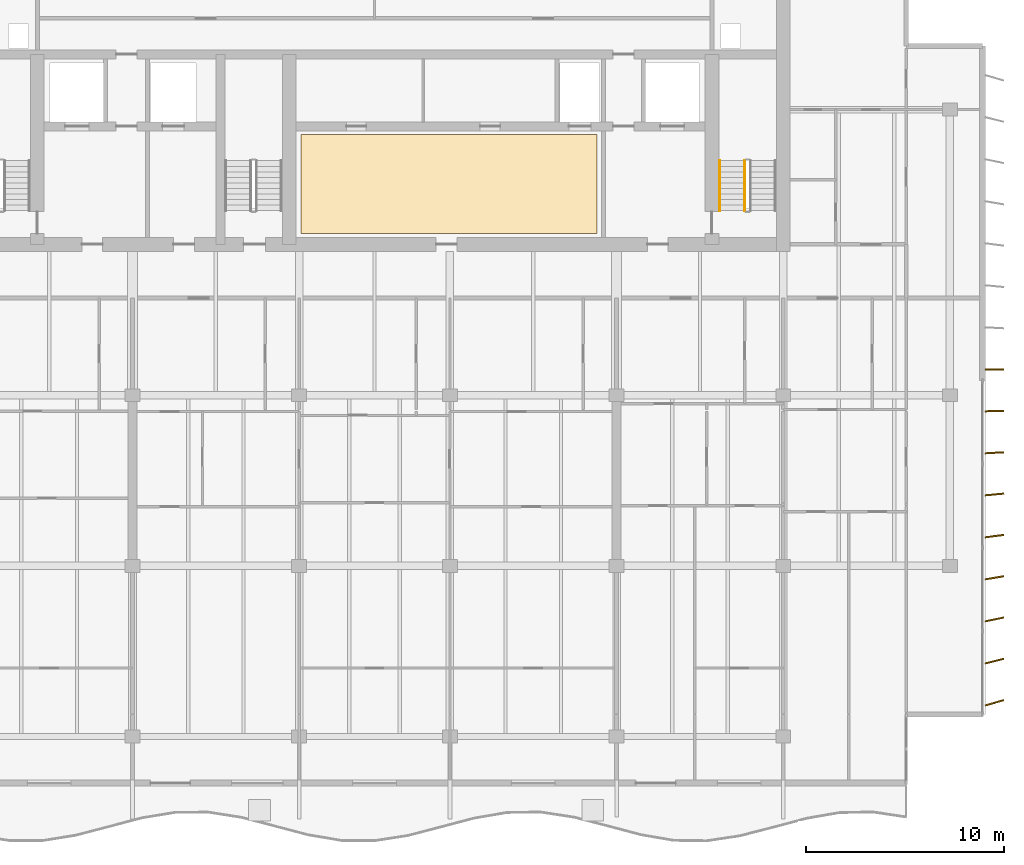
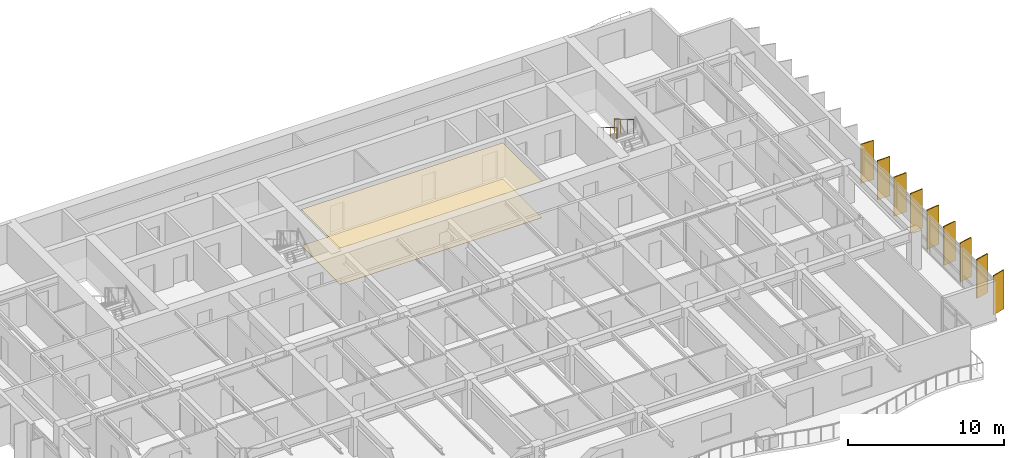
# One storey, part 16 of 19: 9 shading devices, 2 coverings, 2 railings.
"""IFC4 building model written with IfcOpenShell, lengths in metres."""

from ifc_helpers import new_model, si_unit, direction, frame, origin, origin_2d, place, context, subcontext, project, spatial, polyline, rectangle, circle, outline, extrude, material, layer, layer_set, material_profile, profile_set, type_object, element, save


model = new_model("IFC4")

# Units and contexts
model_context = context("Model", 3, precision=1e-05, world=origin(), true_north=direction((0.0, 1.0)))
body_context = subcontext(model_context, "Body", "Model", "MODEL_VIEW")
ifc_project = project(units=[si_unit("LENGTHUNIT", "METRE"), si_unit("AREAUNIT", "SQUARE_METRE"), si_unit("VOLUMEUNIT", "CUBIC_METRE"), si_unit("PLANEANGLEUNIT", "RADIAN"), si_unit("MASSUNIT", "GRAM", prefix="KILO")], contexts=[model_context])

# Site, building, storey
site_placement = place(None, origin())
site = spatial("IfcSite", under=ifc_project, at=site_placement, CompositionType="ELEMENT")
building_placement = place(site_placement, origin())
building = spatial("IfcBuilding", under=site, at=building_placement, Name="Caelmar Bay Residences", CompositionType="ELEMENT")
storey_placement = place(building_placement, frame((0.0, 0.0, 256.199951171875)))
storey = spatial("IfcBuildingStorey", under=building, at=storey_placement, Name="L72", CompositionType="ELEMENT", Elevation=256.199951171875)

# Coverings
ifc_material_1 = material(Name="Perforated acoustic gypsum-mineral ceiling tile 20 mm")
ifc_layer_1 = layer(ifc_material_1, 0.02001953125)
ifc_layer_set_1 = layer_set([ifc_layer_1], Name="Perforated acoustic gypsum-mineral ceiling tile 20 mm")
covering_type_1 = type_object("IfcCoveringType", Name="COV-CEIL-20", PredefinedType="CEILING", material=ifc_layer_set_1)
covering_1_placement = place(storey_placement, frame((0.0, 0.0, 2.830078125)))
element("IfcCovering", 1, at=covering_1_placement, inside=storey, type_object=covering_type_1, Name="L72 Lift Lobby Acoustic Ceiling", PredefinedType="CEILING", context=body_context, shape_type="SweptSolid", body=[
    extrude(outline(polyline([(35.199951171875, 37.550048828125), (50.10009765625, 37.550048828125), (50.10009765625, 42.550048828125), (35.199951171875, 42.550048828125), (35.199951171875, 37.550048828125)])), origin(), (0.0, 0.0, 1.0), 0.02001953125),
])
ifc_material_2 = material(Name="Honed terrazzo and engineered white-oak flooring 20 mm")
ifc_layer_2 = layer(ifc_material_2, 0.02001953125)
ifc_layer_set_2 = layer_set([ifc_layer_2], Name="Honed terrazzo and engineered white-oak flooring 20 mm")
covering_type_2 = type_object("IfcCoveringType", Name="COV-FLR-20", PredefinedType="FLOORING", material=ifc_layer_set_2)
covering_2_placement = place(storey_placement, origin())
element("IfcCovering", 2, at=covering_2_placement, inside=storey, type_object=covering_type_2, Name="L72 Lift Lobby Terrazzo Flooring", PredefinedType="FLOORING", context=body_context, shape_type="SweptSolid", body=[
    extrude(outline(polyline([(35.199951171875, 37.550048828125), (50.10009765625, 37.550048828125), (50.10009765625, 42.550048828125), (35.199951171875, 42.550048828125), (35.199951171875, 37.550048828125)])), origin(), (0.0, 0.0, 1.0), 0.02001953125),
])

# Railings
ifc_material_3 = material(Name="Painted galvanized steel stair guard 1100 mm", Category="steel")
railing_type_1 = type_object("IfcRailingType", Name="RL-GRD-1100", PredefinedType="GUARDRAIL", material=ifc_material_3)
railing_1_placement = place(storey_placement, frame((57.550048828125, 41.219970703125, 1.81494140625)))
element("IfcRailing", 3, at=railing_1_placement, inside=storey, type_object=railing_type_1, Name="L72 ST2 stair guard 3", PredefinedType="GUARDRAIL", context=body_context, shape_type="SweptSolid", body=[
    extrude(circle(Radius=0.02392578125, at=origin_2d()), frame((0.0, 0.0, 1.076171875), z_axis=(0.0, -0.86152411907, 0.507716645641), x_axis=(1.0, 0.0, 0.0)), (0.0, 0.0, 1.0), 2.925048828125),
    extrude(circle(Radius=0.02099609375, at=origin_2d()), origin(), (0.0, 0.0, 1.0), 1.052001953125),
    extrude(circle(Radius=0.02099609375, at=origin_2d()), frame((0.0, -0.840087890625, 0.4951171875)), (0.0, 0.0, 1.0), 1.052001953125),
    extrude(circle(Radius=0.02099609375, at=origin_2d()), frame((0.0, -1.679931640625, 0.989990234375)), (0.0, 0.0, 1.0), 1.052001953125),
    extrude(circle(Radius=0.02099609375, at=origin_2d()), frame((0.0, -2.52001953125, 1.485107421875)), (0.0, 0.0, 1.0), 1.052001953125),
])
ifc_material_4 = material(Name="Brushed bronze stainless-steel tubular handrail 900 mm", Category="steel")
railing_type_2 = type_object("IfcRailingType", Name="RL-HND-900", PredefinedType="HANDRAIL", material=ifc_material_4)
railing_2_placement = place(storey_placement, frame((56.300048828125, 41.219970703125, 1.81494140625)))
element("IfcRailing", 4, at=railing_2_placement, inside=storey, type_object=railing_type_2, Name="L72 ST2 stair handrail 2", PredefinedType="HANDRAIL", context=body_context, shape_type="SweptSolid", body=[
    extrude(circle(Radius=0.02392578125, at=origin_2d()), frame((0.0, 0.0, 0.8759765625), z_axis=(0.0, -0.86152411907, 0.507716645641), x_axis=(1.0, 0.0, 0.0)), (0.0, 0.0, 1.0), 2.925048828125),
    extrude(circle(Radius=0.02099609375, at=origin_2d()), origin(), (0.0, 0.0, 1.0), 0.851806640625),
    extrude(circle(Radius=0.02099609375, at=origin_2d()), frame((0.0, -0.840087890625, 0.4951171875)), (0.0, 0.0, 1.0), 0.851806640625),
    extrude(circle(Radius=0.02099609375, at=origin_2d()), frame((0.0, -1.679931640625, 0.989990234375)), (0.0, 0.0, 1.0), 0.851806640625),
    extrude(circle(Radius=0.02099609375, at=origin_2d()), frame((0.0, -2.52001953125, 1.485107421875)), (0.0, 0.0, 1.0), 0.851806640625),
])

# Shading devices
ifc_material_5 = material(Name="Anodised architectural bronze aluminium 6063-T6", Category="aluminium")
ifc_material_profile = material_profile(ifc_material_5, rectangle(XDim=0.074951171875, YDim=0.949951171875, at=origin_2d()), Name="BRONZE-FIN-75X950")
ifc_profile_set = profile_set([ifc_material_profile], Name="Anodised architectural bronze aluminium 6063-T6")
shading_device_type = type_object("IfcShadingDeviceType", Name="SHD-FIN-950", PredefinedType="USERDEFINED", material=ifc_profile_set)
for number, where, z_axis, x_axis, name in (
    (5, (70.14990234375, 13.89990234375, 0.0), (0.0, 0.0, 1.0), (-0.275637355817, 0.961261695938, 0.0), "L72 East Bronze Solar Fin 1"),
    (6, (70.14990234375, 16.0, 0.0), (0.0, 0.0, 1.0), (-0.239719743609, 0.970842131618, 0.0), "L72 East Bronze Solar Fin 2"),
    (7, (70.14990234375, 18.10009765625, 0.0), (0.0, 0.0, 1.0), (-0.2032999874, 0.979116497217, 0.0), "L72 East Bronze Solar Fin 3"),
    (8, (70.14990234375, 20.199951171875, 0.0), (0.0, 0.0, 1.0), (-0.166768746716, 0.985996037071, 0.0), "L72 East Bronze Solar Fin 4"),
    (9, (70.14990234375, 22.300048828125, 0.0), (0.0, 0.0, 1.0), (-0.130007055036, 0.99151306882, 0.0), "L72 East Bronze Solar Fin 5"),
    (10, (70.14990234375, 24.39990234375, 0.0), (0.0, 0.0, 1.0), (-0.092891934994, 0.995676196569, 0.0), "L72 East Bronze Solar Fin 6"),
    (11, (70.14990234375, 26.5, 0.0), (0.0, 0.0, 1.0), (-0.055821504993, 0.998440764182, 0.0), "L72 East Bronze Solar Fin 7"),
    (12, (70.14990234375, 28.60009765625, 0.0), (0.0, 0.0, 1.0), (-0.018673937509, 0.999825626826, 0.0), "L72 East Bronze Solar Fin 8"),
    (13, (70.14990234375, 30.699951171875, 0.0), (0.0, 0.0, 1.0), (0.018673937509, 0.999825626826, 0.0), "L72 East Bronze Solar Fin 9"),
):
    element("IfcShadingDevice", number, at=place(storey_placement, frame(where, z_axis=z_axis, x_axis=x_axis)), inside=storey, type_object=shading_device_type, Name=name, ObjectType="FIN", PredefinedType="USERDEFINED", context=body_context, shape_type="SweptSolid", body=[
        extrude(rectangle(XDim=0.074951171875, YDim=0.949951171875, at=origin_2d()), origin(), (0.0, 0.0, 1.0), 3.050048828125),
    ])

save(model, "model.ifc")
